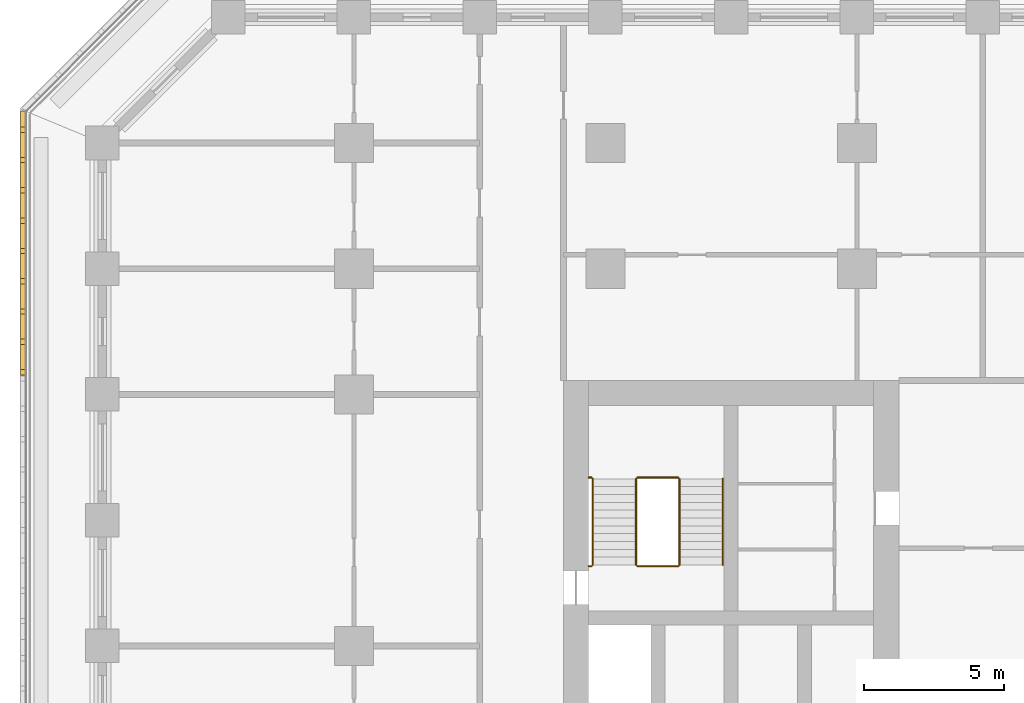
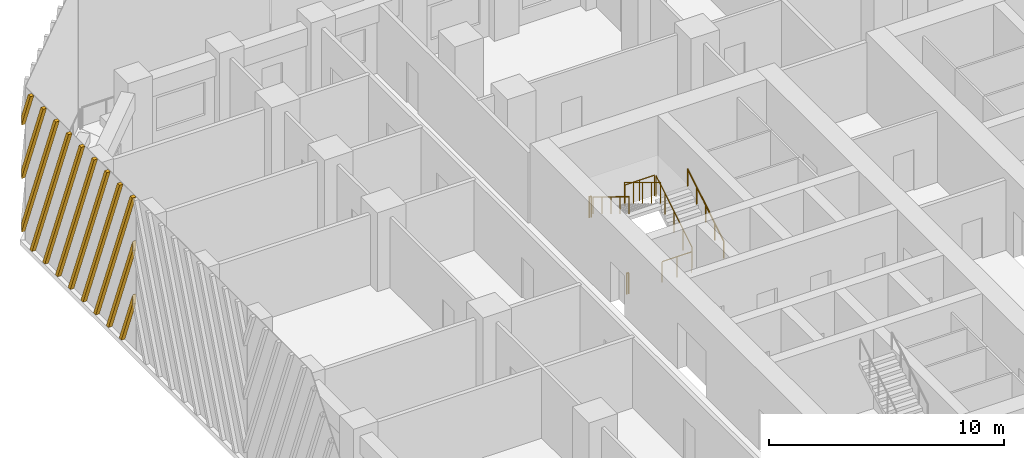
# One storey, part 15 of 19: 8 railings, 1 shading device.
"""IFC4 building model written with IfcOpenShell, lengths in metres."""

import ifcopenshell
import ifcopenshell.guid

model = None  # the IFC model being written
_history = None  # IfcOwnerHistory: only IFC2X3 demands one
_inside = {}  # id of a spatial element -> (the spatial element, [elements in it])
_under = {}  # id of a project, library or spatial element -> (it, [spatial elements below it])
_declared = {}  # id of a project -> (the project, [libraries it declares])
_typed = {}  # id of a type object -> (the type object, [elements of that type])
_made_of = {}  # id of a material, layer set ... -> (it, [elements and type objects made of it])


def new_model(schema):
    """Start an empty IFC model of exactly this schema.

    Asked for "IFC4X3", IfcOpenShell would pick the latest addendum, in which some entities
    have other attributes; the version numbers below select the first issue.
    IFC2X3 requires an IfcOwnerHistory on every rooted entity: one is made here for all.
    """
    global model, _history
    if schema == "IFC4X3":
        model = ifcopenshell.file(schema_version=(4, 3, 0, 0))
    else:
        model = ifcopenshell.file(schema=schema)
    _inside.clear()
    _under.clear()
    _declared.clear()
    _typed.clear()
    _made_of.clear()
    _history = None
    if model.schema == "IFC2X3":
        org = make("IfcOrganization", Name="unknown")
        user = make(
            "IfcPersonAndOrganization",
            ThePerson=make("IfcPerson", FamilyName="unknown"),
            TheOrganization=org,
        )
        app = make(
            "IfcApplication",
            ApplicationDeveloper=org,
            Version="unknown",
            ApplicationFullName="unknown",
            ApplicationIdentifier="unknown",
        )
        _history = make(
            "IfcOwnerHistory",
            OwningUser=user,
            OwningApplication=app,
            ChangeAction="ADDED",
            CreationDate=0,
        )
    return model


def make(cls, **values):
    """One entity of the class cls with the attributes given. An attribute that is None is left unset."""
    return model.create_entity(
        cls, **{name: value for name, value in values.items() if value is not None}
    )


def rooted(cls, **values):
    """An entity with a GlobalId (a new one), such as an element, a storey or a relation."""
    return make(cls, GlobalId=ifcopenshell.guid.new(), OwnerHistory=_history, **values)


def si_unit(unit_type, name, prefix=None):
    """IfcSIUnit, for example si_unit("LENGTHUNIT", "METRE", prefix="MILLI")."""
    return make("IfcSIUnit", UnitType=unit_type, Prefix=prefix, Name=name)


def assignment(units):
    """IfcUnitAssignment: the units of a project."""
    return None if units is None else make("IfcUnitAssignment", Units=units)


def point(xyz):
    """IfcCartesianPoint."""
    return None if xyz is None else make("IfcCartesianPoint", Coordinates=xyz)


def direction(xyz):
    """IfcDirection."""
    return None if xyz is None else make("IfcDirection", DirectionRatios=xyz)


def frame(location, z_axis=None, x_axis=None):
    """IfcAxis2Placement3D, a coordinate frame: its origin and axes. An axis left out is left unset."""
    return make(
        "IfcAxis2Placement3D",
        Location=point(location),
        Axis=direction(z_axis),
        RefDirection=direction(x_axis),
    )


def frame_2d(location, x_axis=None):
    """IfcAxis2Placement2D, a coordinate frame in the plane: its origin and x axis."""
    return make(
        "IfcAxis2Placement2D", Location=point(location), RefDirection=direction(x_axis)
    )


def origin():
    """The frame at (0, 0, 0) with its axes left unset."""
    return frame((0.0, 0.0, 0.0))


def origin_2d():
    """The frame at (0, 0) in the plane with its x axis left unset."""
    return frame_2d((0.0, 0.0))


def place(relative_to, where):
    """IfcLocalPlacement: puts the frame where relative to a parent placement (None: the world)."""
    return make(
        "IfcLocalPlacement", PlacementRelTo=relative_to, RelativePlacement=where
    )


def context(
    kind, dimensions, precision=None, world=None, true_north=None, identifier=None
):
    """IfcGeometricRepresentationContext, for example the 3D "Model" context."""
    return make(
        "IfcGeometricRepresentationContext",
        ContextIdentifier=identifier,
        ContextType=kind,
        CoordinateSpaceDimension=dimensions,
        Precision=precision,
        WorldCoordinateSystem=world,
        TrueNorth=true_north,
    )


def subcontext(parent, identifier, kind, view, scale=None):
    """IfcGeometricRepresentationSubContext, for example "Body" below "Model"."""
    return make(
        "IfcGeometricRepresentationSubContext",
        ContextIdentifier=identifier,
        ContextType=kind,
        ParentContext=parent,
        TargetScale=scale,
        TargetView=view,
    )


def project(units=None, contexts=None):
    """IfcProject with its units and contexts."""
    return rooted(
        "IfcProject",
        Name="project",
        RepresentationContexts=contexts,
        UnitsInContext=assignment(units),
    )


def spatial(cls, under=None, at=None, **own):
    """A site, building, storey or space (cls), placed at a placement, below another one or the project."""
    s = rooted(cls, ObjectPlacement=at, **own)
    if under is not None:
        _under.setdefault(under.id(), (under, []))[1].append(s)
    return s


def polyline(points):
    """IfcPolyline through the points."""
    return make("IfcPolyline", Points=[point(p) for p in points])


def profile(cls, at=None, kind="AREA", **sizes):
    """A parametric profile (cls). Its sizes go by their IFC names, for example OverallWidth=200.0."""
    return make(cls, ProfileType=kind, Position=at, **sizes)


def circle(**sizes):
    """IfcCircleProfileDef."""
    return profile("IfcCircleProfileDef", **sizes)


def outline(outer, holes=None, kind="AREA"):
    """IfcArbitraryClosedProfileDef: a profile drawn as a closed curve; with holes, ...WithVoids."""
    if holes is None:
        return make("IfcArbitraryClosedProfileDef", ProfileType=kind, OuterCurve=outer)
    return make(
        "IfcArbitraryProfileDefWithVoids",
        ProfileType=kind,
        OuterCurve=outer,
        InnerCurves=holes,
    )


def extrude(swept, where, along, depth):
    """IfcExtrudedAreaSolid: the profile swept, set in the frame where, extruded along a direction by depth."""
    return make(
        "IfcExtrudedAreaSolid",
        SweptArea=swept,
        Position=where,
        ExtrudedDirection=direction(along),
        Depth=depth,
    )


def shape(context_of_items, identifier, shape_type, items):
    """IfcShapeRepresentation: the items that make up one representation, for example the "Body"."""
    return make(
        "IfcShapeRepresentation",
        ContextOfItems=context_of_items,
        RepresentationIdentifier=identifier,
        RepresentationType=shape_type,
        Items=items,
    )


def source(mapping_origin, context_of_items, identifier, shape_type, items):
    """IfcRepresentationMap: a shape defined once, which mapped items show again and again."""
    return make(
        "IfcRepresentationMap",
        MappingOrigin=mapping_origin,
        MappedRepresentation=shape(context_of_items, identifier, shape_type, items),
    )


def transform(
    local_origin,
    x_axis=None,
    y_axis=None,
    z_axis=None,
    scale=None,
    scale2=None,
    scale3=None,
    uniform=True,
):
    """IfcCartesianTransformationOperator3D, or its non-uniform kind. x_axis, y_axis, z_axis: its Axis1, 2, 3."""
    if uniform:
        return make(
            "IfcCartesianTransformationOperator3D",
            Axis1=direction(x_axis),
            Axis2=direction(y_axis),
            LocalOrigin=point(local_origin),
            Scale=scale,
            Axis3=direction(z_axis),
        )
    return make(
        "IfcCartesianTransformationOperator3DnonUniform",
        Axis1=direction(x_axis),
        Axis2=direction(y_axis),
        LocalOrigin=point(local_origin),
        Scale=scale,
        Axis3=direction(z_axis),
        Scale2=scale2,
        Scale3=scale3,
    )


def mapped(mapping_source, mapping_target):
    """IfcMappedItem: shows the shape of a source again, moved by a transform."""
    return make(
        "IfcMappedItem", MappingSource=mapping_source, MappingTarget=mapping_target
    )


def material(Name=None, Category=None):
    """IfcMaterial."""
    return make("IfcMaterial", Name=Name, Category=Category)


def made_of(thing, what):
    """Note that an element or type object is made of a material, layer set ...; save() writes the relation."""
    if what is not None:
        _made_of.setdefault(what.id(), (what, []))[1].append(thing)
    return thing


def type_object(cls, material=None, **own):
    """A type object (cls), such as IfcWallType, which elements share."""
    return made_of(rooted(cls, **own), material)


def element(
    cls,
    number,
    at=None,
    inside=None,
    cuts=None,
    type_object=None,
    material=None,
    context=None,
    identifier="Body",
    shape_type=None,
    held_by="IfcProductDefinitionShape",
    body=None,
    shapes=None,
    **own,
):
    """One element of the class cls, such as IfcWall. Its Tag is "e" and its number.

    at: its placement. inside: the storey or other place that contains it. cuts: it is an
    opening in that element (IfcRelVoidsElement). A single representation is given by context,
    identifier, shape_type and body (its items); several are given by shapes. held_by: the class
    of the entity that holds the representations. save() writes the other relations.
    """
    e = rooted(cls, Tag="e%d" % number, ObjectPlacement=at, **own)
    if body is not None:
        shapes = [shape(context, identifier, shape_type, body)]
    if shapes is not None:
        e.Representation = make(held_by, Representations=shapes)
    if inside is not None:
        _inside.setdefault(inside.id(), (inside, []))[1].append(e)
    if cuts is not None:
        rooted(
            "IfcRelVoidsElement", RelatingBuildingElement=cuts, RelatedOpeningElement=e
        )
    if type_object is not None:
        _typed.setdefault(type_object.id(), (type_object, []))[1].append(e)
    return made_of(e, material)


def aggregate(whole, parts):
    """IfcRelAggregates: a whole, such as a stair, and the parts it consists of."""
    return rooted("IfcRelAggregates", RelatingObject=whole, RelatedObjects=parts)


def save(model, path):
    """Write the relations noted so far, then the file.

    IfcRelAggregates (storeys below a building ...), IfcRelContainedInSpatialStructure (elements
    in a storey), IfcRelDefinesByType, IfcRelAssociatesMaterial and IfcRelDeclares: one each for
    every whole, place, type object, material and project.
    """
    for whole, parts in _under.values():
        aggregate(whole, parts)
    for where, things in _inside.values():
        rooted(
            "IfcRelContainedInSpatialStructure",
            RelatedElements=things,
            RelatingStructure=where,
        )
    for kind, things in _typed.values():
        rooted("IfcRelDefinesByType", RelatedObjects=things, RelatingType=kind)
    for what, things in _made_of.values():
        rooted("IfcRelAssociatesMaterial", RelatedObjects=things, RelatingMaterial=what)
    for by, libraries in _declared.values():
        rooted("IfcRelDeclares", RelatingContext=by, RelatedDefinitions=libraries)
    model.write(path)


model = new_model("IFC4")

# Units and contexts
model_context = context("Model", 3, precision=1e-05, world=origin(), true_north=direction((0.0, 1.0)))
body_context = subcontext(model_context, "Body", "Model", "MODEL_VIEW")
ifc_project = project(units=[si_unit("LENGTHUNIT", "METRE"), si_unit("AREAUNIT", "SQUARE_METRE"), si_unit("VOLUMEUNIT", "CUBIC_METRE"), si_unit("PLANEANGLEUNIT", "RADIAN"), si_unit("MASSUNIT", "GRAM", prefix="KILO")], contexts=[model_context])

# Site, building, storey
site_placement = place(None, origin())
site = spatial("IfcSite", under=ifc_project, at=site_placement, CompositionType="ELEMENT")
building_placement = place(site_placement, origin())
building = spatial("IfcBuilding", under=site, at=building_placement, Name="Corbel Stack Research Tower", CompositionType="ELEMENT")
storey_placement = place(building_placement, frame((0.0, 0.0, 124.89990234375)))
storey = spatial("IfcBuildingStorey", under=building, at=storey_placement, Name="L28", CompositionType="ELEMENT", Elevation=124.89990234375)

# Railings
ifc_material_1 = material(Name="Steel S355", Category="steel")
railing_type_1 = type_object("IfcRailingType", Name="Stair guard 1100", PredefinedType="GUARDRAIL", material=ifc_material_1)
railing_1_placement = place(storey_placement, frame((-6.35009765625, 11.89990234375, 0.1708984375)))
element("IfcRailing", 1, at=railing_1_placement, inside=storey, type_object=railing_type_1, Name="L28 ST-W2 stair guard 1", PredefinedType="GUARDRAIL", context=body_context, shape_type="SweptSolid", body=[
    extrude(circle(Radius=0.02392578125, at=origin_2d()), frame((0.0, 0.0, 1.076171875), z_axis=(0.0, 0.853666305674, 0.52082035152), x_axis=(-1.0, 0.0, 0.0)), (0.0, 0.0, 1.0), 3.608154296875),
    extrude(circle(Radius=0.02099609375, at=origin_2d()), origin(), (0.0, 0.0, 1.0), 1.052001953125),
    extrude(circle(Radius=0.02099609375, at=origin_2d()), frame((0.0, 0.77001953125, 0.4697265625)), (0.0, 0.0, 1.0), 1.052001953125),
    extrude(circle(Radius=0.02099609375, at=origin_2d()), frame((0.0, 1.5400390625, 0.939453125)), (0.0, 0.0, 1.0), 1.052001953125),
    extrude(circle(Radius=0.02099609375, at=origin_2d()), frame((0.0, 2.31005859375, 1.409423828125)), (0.0, 0.0, 1.0), 1.052001953125),
    extrude(circle(Radius=0.02099609375, at=origin_2d()), frame((0.0, 3.080078125, 1.879150390625)), (0.0, 0.0, 1.0), 1.052001953125),
])
railing_2_placement = place(storey_placement, frame((-6.39990234375, 15.030029296875, 2.050048828125)))
element("IfcRailing", 2, at=railing_2_placement, inside=storey, type_object=railing_type_1, Name="L28 ST-W2 stair guard 2", PredefinedType="GUARDRAIL", context=body_context, shape_type="SweptSolid", body=[
    extrude(circle(Radius=0.02392578125, at=origin_2d()), frame((0.0, 0.0, 1.076171875), z_axis=(-1.0, 0.0, 0.0), x_axis=(0.0, -1.0, 0.0)), (0.0, 0.0, 1.0), 1.4501953125),
    extrude(circle(Radius=0.02099609375, at=origin_2d()), origin(), (0.0, 0.0, 1.0), 1.052001953125),
    extrude(circle(Radius=0.02099609375, at=origin_2d()), frame((-0.72509765625, 0.0, 0.0)), (0.0, 0.0, 1.0), 1.052001953125),
    extrude(circle(Radius=0.02099609375, at=origin_2d()), frame((-1.4501953125, 0.0, 0.0)), (0.0, 0.0, 1.0), 1.052001953125),
])
railing_3_placement = place(storey_placement, frame((-9.5, 15.030029296875, 2.050048828125)))
element("IfcRailing", 3, at=railing_3_placement, inside=storey, type_object=railing_type_1, Name="L28 ST-W2 stair guard 3", PredefinedType="GUARDRAIL", context=body_context, shape_type="SweptSolid", body=[
    extrude(circle(Radius=0.02392578125, at=origin_2d()), frame((0.0, 0.0, 1.076171875), z_axis=(-1.0, 0.0, 0.0), x_axis=(0.0, -1.0, 0.0)), (0.0, 0.0, 1.0), 0.10009765625),
    extrude(circle(Radius=0.02099609375, at=origin_2d()), origin(), (0.0, 0.0, 1.0), 1.052001953125),
    extrude(circle(Radius=0.02099609375, at=origin_2d()), frame((-0.10009765625, 0.0, 0.0)), (0.0, 0.0, 1.0), 1.052001953125),
])
railing_4_placement = place(storey_placement, frame((-7.89990234375, 14.97998046875, 2.220947265625)))
element("IfcRailing", 4, at=railing_4_placement, inside=storey, type_object=railing_type_1, Name="L28 ST-W2 stair guard 4", PredefinedType="GUARDRAIL", context=body_context, shape_type="SweptSolid", body=[
    extrude(circle(Radius=0.02392578125, at=origin_2d()), frame((0.0, 0.0, 1.076171875), z_axis=(0.0, -0.853666305674, 0.52082035152), x_axis=(1.0, 0.0, 0.0)), (0.0, 0.0, 1.0), 3.608154296875),
    extrude(circle(Radius=0.02099609375, at=origin_2d()), origin(), (0.0, 0.0, 1.0), 1.052001953125),
    extrude(circle(Radius=0.02099609375, at=origin_2d()), frame((0.0, -0.77001953125, 0.4697265625)), (0.0, 0.0, 1.0), 1.052001953125),
    extrude(circle(Radius=0.02099609375, at=origin_2d()), frame((0.0, -1.5400390625, 0.939453125)), (0.0, 0.0, 1.0), 1.052001953125),
    extrude(circle(Radius=0.02099609375, at=origin_2d()), frame((0.0, -2.31005859375, 1.409423828125)), (0.0, 0.0, 1.0), 1.052001953125),
    extrude(circle(Radius=0.02099609375, at=origin_2d()), frame((0.0, -3.080078125, 1.879150390625)), (0.0, 0.0, 1.0), 1.052001953125),
])
railing_5_placement = place(storey_placement, frame((-6.39990234375, 11.85009765625, 0.0)))
element("IfcRailing", 5, at=railing_5_placement, inside=storey, type_object=railing_type_1, Name="L28 ST-W2 stair guard 5", PredefinedType="GUARDRAIL", context=body_context, shape_type="SweptSolid", body=[
    extrude(circle(Radius=0.02392578125, at=origin_2d()), frame((0.0, 0.0, 1.076171875), z_axis=(-1.0, 0.0, 0.0), x_axis=(0.0, -1.0, 0.0)), (0.0, 0.0, 1.0), 1.4501953125),
    extrude(circle(Radius=0.02099609375, at=origin_2d()), origin(), (0.0, 0.0, 1.0), 1.052001953125),
    extrude(circle(Radius=0.02099609375, at=origin_2d()), frame((-0.72509765625, 0.0, 0.0)), (0.0, 0.0, 1.0), 1.052001953125),
    extrude(circle(Radius=0.02099609375, at=origin_2d()), frame((-1.4501953125, 0.0, 0.0)), (0.0, 0.0, 1.0), 1.052001953125),
])
railing_6_placement = place(storey_placement, frame((-9.5, 11.85009765625, 0.0)))
element("IfcRailing", 6, at=railing_6_placement, inside=storey, type_object=railing_type_1, Name="L28 ST-W2 stair guard 6", PredefinedType="GUARDRAIL", context=body_context, shape_type="SweptSolid", body=[
    extrude(circle(Radius=0.02392578125, at=origin_2d()), frame((0.0, 0.0, 1.076171875), z_axis=(-1.0, 0.0, 0.0), x_axis=(0.0, -1.0, 0.0)), (0.0, 0.0, 1.0), 0.10009765625),
    extrude(circle(Radius=0.02099609375, at=origin_2d()), origin(), (0.0, 0.0, 1.0), 1.052001953125),
    extrude(circle(Radius=0.02099609375, at=origin_2d()), frame((-0.10009765625, 0.0, 0.0)), (0.0, 0.0, 1.0), 1.052001953125),
])
ifc_material_2 = material(Name="Steel S355", Category="steel")
railing_type_2 = type_object("IfcRailingType", Name="Stair handrail 900", PredefinedType="HANDRAIL", material=ifc_material_2)
railing_7_placement = place(storey_placement, frame((-4.800048828125, 11.89990234375, 0.1708984375)))
element("IfcRailing", 7, at=railing_7_placement, inside=storey, type_object=railing_type_2, Name="L28 ST-W2 stair handrail 1", PredefinedType="HANDRAIL", context=body_context, shape_type="SweptSolid", body=[
    extrude(circle(Radius=0.02392578125, at=origin_2d()), frame((0.0, 0.0, 0.8759765625), z_axis=(0.0, 0.853666305674, 0.52082035152), x_axis=(-1.0, 0.0, 0.0)), (0.0, 0.0, 1.0), 3.608154296875),
    extrude(circle(Radius=0.02099609375, at=origin_2d()), origin(), (0.0, 0.0, 1.0), 0.851806640625),
    extrude(circle(Radius=0.02099609375, at=origin_2d()), frame((0.0, 0.77001953125, 0.4697265625)), (0.0, 0.0, 1.0), 0.851806640625),
    extrude(circle(Radius=0.02099609375, at=origin_2d()), frame((0.0, 1.5400390625, 0.939453125)), (0.0, 0.0, 1.0), 0.851806640625),
    extrude(circle(Radius=0.02099609375, at=origin_2d()), frame((0.0, 2.31005859375, 1.409423828125)), (0.0, 0.0, 1.0), 0.851806640625),
    extrude(circle(Radius=0.02099609375, at=origin_2d()), frame((0.0, 3.080078125, 1.879150390625)), (0.0, 0.0, 1.0), 0.851806640625),
])
railing_8_placement = place(storey_placement, frame((-9.449951171875, 14.97998046875, 2.220947265625)))
element("IfcRailing", 8, at=railing_8_placement, inside=storey, type_object=railing_type_2, Name="L28 ST-W2 stair handrail 2", PredefinedType="HANDRAIL", context=body_context, shape_type="SweptSolid", body=[
    extrude(circle(Radius=0.02392578125, at=origin_2d()), frame((0.0, 0.0, 0.8759765625), z_axis=(0.0, -0.853666305674, 0.52082035152), x_axis=(1.0, 0.0, 0.0)), (0.0, 0.0, 1.0), 3.608154296875),
    extrude(circle(Radius=0.02099609375, at=origin_2d()), origin(), (0.0, 0.0, 1.0), 0.851806640625),
    extrude(circle(Radius=0.02099609375, at=origin_2d()), frame((0.0, -0.77001953125, 0.4697265625)), (0.0, 0.0, 1.0), 0.851806640625),
    extrude(circle(Radius=0.02099609375, at=origin_2d()), frame((0.0, -1.5400390625, 0.939453125)), (0.0, 0.0, 1.0), 0.851806640625),
    extrude(circle(Radius=0.02099609375, at=origin_2d()), frame((0.0, -2.31005859375, 1.409423828125)), (0.0, 0.0, 1.0), 0.851806640625),
    extrude(circle(Radius=0.02099609375, at=origin_2d()), frame((0.0, -3.080078125, 1.879150390625)), (0.0, 0.0, 1.0), 0.851806640625),
])

# Shading device
ifc_material_3 = material(Name="Precast terracotta", Category="masonry")
shading_device_type = type_object("IfcShadingDeviceType", Name="Terracotta screen panel", PredefinedType="USERDEFINED", material=ifc_material_3)
shared_shape = source(origin(), body_context, "Body", "SweptSolid", [
    extrude(outline(polyline([(0.759521484375, 7.949951171875), (0.5693359375, 7.949951171875), (0.0, 6.4921875), (0.0, 6.005615234375), (0.759521484375, 7.949951171875)])), frame((0.0, 0.0, 0.0), z_axis=(0.0, -1.0, 0.0), x_axis=(1.0, 0.0, 0.0)), (0.0, 0.0, 1.0), 0.179931640625),
    extrude(outline(polyline([(1.843994140625, 7.949951171875), (1.654052734375, 7.949951171875), (0.0, 3.71484375), (0.0, 3.228515625), (1.843994140625, 7.949951171875)])), frame((0.0, 0.0, 0.0), z_axis=(0.0, -1.0, 0.0), x_axis=(1.0, 0.0, 0.0)), (0.0, 0.0, 1.0), 0.179931640625),
    extrude(outline(polyline([(2.9287109375, 7.949951171875), (2.73876953125, 7.949951171875), (0.0, 0.9375), (0.0, 0.451171875), (2.9287109375, 7.949951171875)])), frame((0.0, 0.0, 0.0), z_axis=(0.0, -1.0, 0.0), x_axis=(1.0, 0.0, 0.0)), (0.0, 0.0, 1.0), 0.179931640625),
    extrude(outline(polyline([(0.908447265625, 0.0), (4.013427734375, 7.949951171875), (3.823486328125, 7.949951171875), (0.718505859375, 0.0), (0.908447265625, 0.0)])), frame((0.0, 0.0, 0.0), z_axis=(0.0, -1.0, 0.0), x_axis=(1.0, 0.0, 0.0)), (0.0, 0.0, 1.0), 0.179931640625),
    extrude(outline(polyline([(1.9931640625, 0.0), (5.097900390625, 7.949951171875), (4.907958984375, 7.949951171875), (1.80322265625, 0.0), (1.9931640625, 0.0)])), frame((0.0, 0.0, 0.0), z_axis=(0.0, -1.0, 0.0), x_axis=(1.0, 0.0, 0.0)), (0.0, 0.0, 1.0), 0.179931640625),
    extrude(outline(polyline([(3.077880859375, 0.0), (6.1826171875, 7.949951171875), (5.99267578125, 7.949951171875), (2.8876953125, 0.0), (3.077880859375, 0.0)])), frame((0.0, 0.0, 0.0), z_axis=(0.0, -1.0, 0.0), x_axis=(1.0, 0.0, 0.0)), (0.0, 0.0, 1.0), 0.179931640625),
    extrude(outline(polyline([(4.16259765625, 0.0), (7.267333984375, 7.949951171875), (7.077392578125, 7.949951171875), (3.972412109375, 0.0), (4.16259765625, 0.0)])), frame((0.0, 0.0, 0.0), z_axis=(0.0, -1.0, 0.0), x_axis=(1.0, 0.0, 0.0)), (0.0, 0.0, 1.0), 0.179931640625),
    extrude(outline(polyline([(5.247314453125, 0.0), (8.35205078125, 7.949951171875), (8.162109375, 7.949951171875), (5.05712890625, 0.0), (5.247314453125, 0.0)])), frame((0.0, 0.0, 0.0), z_axis=(0.0, -1.0, 0.0), x_axis=(1.0, 0.0, 0.0)), (0.0, 0.0, 1.0), 0.179931640625),
    extrude(outline(polyline([(6.331787109375, 0.0), (9.436767578125, 7.949951171875), (9.24658203125, 7.949951171875), (6.141845703125, 0.0), (6.331787109375, 0.0)])), frame((0.0, 0.0, 0.0), z_axis=(0.0, -1.0, 0.0), x_axis=(1.0, 0.0, 0.0)), (0.0, 0.0, 1.0), 0.179931640625),
    extrude(outline(polyline([(7.41650390625, 0.0), (9.45556640625, 5.22119140625), (9.45556640625, 5.707763671875), (7.2265625, 0.0), (7.41650390625, 0.0)])), frame((0.0, 0.0, 0.0), z_axis=(0.0, -1.0, 0.0), x_axis=(1.0, 0.0, 0.0)), (0.0, 0.0, 1.0), 0.179931640625),
    extrude(outline(polyline([(8.501220703125, 0.0), (9.45556640625, 2.44384765625), (9.45556640625, 2.930419921875), (8.311279296875, 0.0), (8.501220703125, 0.0)])), frame((0.0, 0.0, 0.0), z_axis=(0.0, -1.0, 0.0), x_axis=(1.0, 0.0, 0.0)), (0.0, 0.0, 1.0), 0.179931640625),
])
shading_device_placement = place(storey_placement, frame((-29.75, 28.13916015625, 0.0), z_axis=(0.0, 0.0, 1.0), x_axis=(0.0, -1.0, 0.0)))
element("IfcShadingDevice", 9, at=shading_device_placement, inside=storey, type_object=shading_device_type, Name="Terracotta screen L28 W1", ObjectType="SCREEN", PredefinedType="USERDEFINED", context=body_context, shape_type="MappedRepresentation", body=[
    mapped(shared_shape, transform((0.0, 0.0, 0.0))),
])

save(model, "model.ifc")
